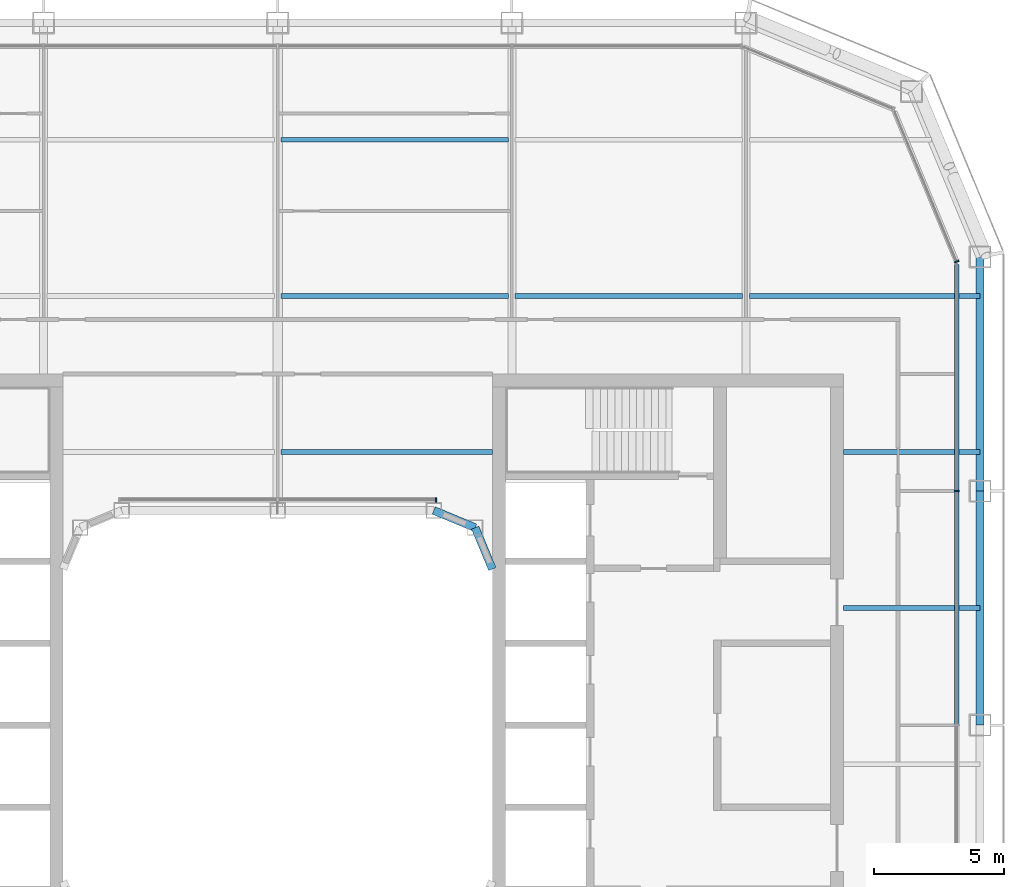
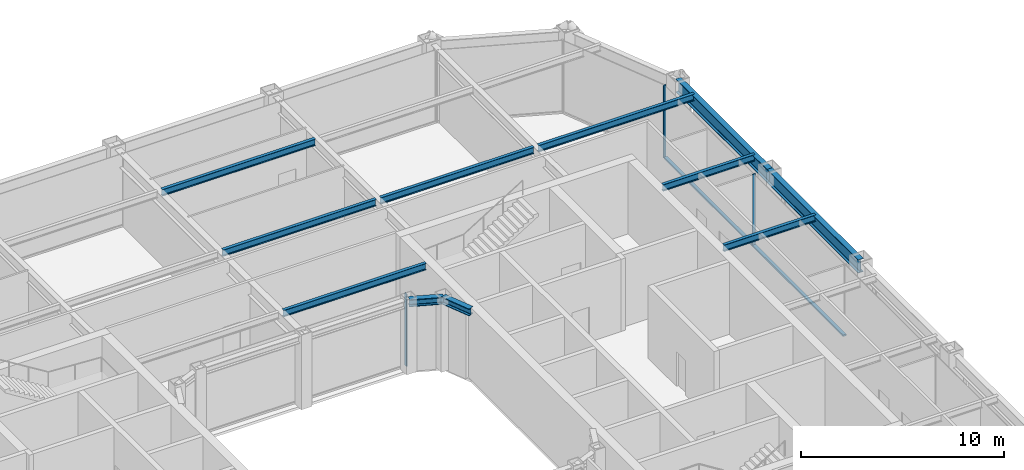
# One storey, part 9 of 23: 11 beams, 5 members, 3 elements without a shape of their own.
"""IFC4 building model written with IfcOpenShell, lengths in metres."""

from ifc_helpers import new_model, si_unit, direction, frame, origin, origin_2d, place, context, subcontext, project, spatial, rectangle, i_section, extrude, material, layer, layer_set, material_profile, profile_set, type_object, element, aggregate, save


model = new_model("IFC4")

# Units and contexts
model_context = context("Model", 3, precision=1e-05, world=origin(), true_north=direction((0.0, 1.0)))
body_context = subcontext(model_context, "Body", "Model", "MODEL_VIEW")
ifc_project = project(units=[si_unit("LENGTHUNIT", "METRE"), si_unit("AREAUNIT", "SQUARE_METRE"), si_unit("VOLUMEUNIT", "CUBIC_METRE"), si_unit("PLANEANGLEUNIT", "RADIAN"), si_unit("MASSUNIT", "GRAM", prefix="KILO")], contexts=[model_context])

# Site, building, storey
site_placement = place(None, origin())
site = spatial("IfcSite", under=ifc_project, at=site_placement, CompositionType="ELEMENT")
building_placement = place(site_placement, origin())
building = spatial("IfcBuilding", under=site, at=building_placement, Name="Siwar Civic Tower", CompositionType="ELEMENT")
storey_placement = place(building_placement, frame((0.0, 0.0, 233.199951171875)))
storey = spatial("IfcBuildingStorey", under=building, at=storey_placement, Name="L50", CompositionType="ELEMENT", Elevation=233.199951171875)

# Curtain wall, member
ifc_material_1 = material(Name="Aluminium and glass", Category="aluminium")
ifc_layer_1 = layer(ifc_material_1, 0.179931640625)
ifc_layer_set_1 = layer_set([ifc_layer_1], Name="Aluminium and glass")
curtain_wall_type_1 = type_object("IfcCurtainWallType", Name="ENV-CW-C", PredefinedType="NOTDEFINED", material=ifc_layer_set_1)
curtain_wall_1_placement = place(storey_placement, origin())
curtain_wall_1 = element("IfcCurtainWall", 1, at=curtain_wall_1_placement, inside=storey, type_object=curtain_wall_type_1, Name="Curtain wall C E", PredefinedType="NOTDEFINED")
ifc_material_2 = material(Name="Aluminium 6063-T6", Category="aluminium")
ifc_material_profile_1 = material_profile(ifc_material_2, rectangle(XDim=0.179931640625, YDim=0.06005859375, at=origin_2d()), Name="AL 180x60")
ifc_profile_set_1 = profile_set([ifc_material_profile_1], Name="Aluminium 6063-T6")
member_type_1 = type_object("IfcMemberType", Name="ENV-MULLION-C", PredefinedType="MULLION", material=ifc_profile_set_1)
member_1_placement = place(storey_placement, frame((26.10009765625, 9.0, 0.0), z_axis=(0.0, 0.0, 1.0), x_axis=(-1.0, 0.0, 0.0)))
member_1 = element("IfcMember", 2, at=member_1_placement, type_object=member_type_1, Name="Mullion C E 4", PredefinedType="MULLION", context=body_context, shape_type="SweptSolid", body=[
    extrude(rectangle(XDim=0.179931640625, YDim=0.06005859375, at=origin_2d()), origin(), (0.0, 0.0, 1.0), 4.35009765625),
])

ifc_material_3 = material(Name="Aluminium clad insulated panel", Category="aluminium")
ifc_layer_2 = layer(ifc_material_3, 0.179931640625)
ifc_layer_set_2 = layer_set([ifc_layer_2], Name="Aluminium clad insulated panel")
curtain_wall_type_2 = type_object("IfcCurtainWallType", Name="ENV-CW-CX", PredefinedType="NOTDEFINED", material=ifc_layer_set_2)
curtain_wall_2_placement = place(storey_placement, origin())
curtain_wall_2 = element("IfcCurtainWall", 3, at=curtain_wall_2_placement, inside=storey, type_object=curtain_wall_type_2, Name="Curtain wall C NE1", PredefinedType="NOTDEFINED")
member_2_placement = place(storey_placement, frame((26.10009765625, 17.821044921875, 0.0), z_axis=(0.0, 0.0, 1.0), x_axis=(-0.923879532511, -0.382683432365, 0.0)))
member_2 = element("IfcMember", 4, at=member_2_placement, type_object=member_type_1, Name="Mullion C NE1 1", PredefinedType="MULLION", context=body_context, shape_type="SweptSolid", body=[
    extrude(rectangle(XDim=0.179931640625, YDim=0.06005859375, at=origin_2d()), origin(), (0.0, 0.0, 1.0), 4.35009765625),
])
aggregate(curtain_wall_2, [member_2])

ifc_material_4 = material(Name="Aluminium and glass", Category="aluminium")
ifc_layer_3 = layer(ifc_material_4, 0.179931640625)
ifc_layer_set_3 = layer_set([ifc_layer_3], Name="Aluminium and glass")
curtain_wall_type_3 = type_object("IfcCurtainWallType", Name="ENV-CW-W", PredefinedType="NOTDEFINED", material=ifc_layer_set_3)
curtain_wall_3_placement = place(storey_placement, origin())
curtain_wall_3 = element("IfcCurtainWall", 5, at=curtain_wall_3_placement, inside=storey, type_object=curtain_wall_type_3, Name="Curtain wall W WN", PredefinedType="NOTDEFINED")
ifc_material_5 = material(Name="Aluminium 6063-T6", Category="aluminium")
ifc_material_profile_2 = material_profile(ifc_material_5, rectangle(XDim=0.179931640625, YDim=0.06005859375, at=origin_2d()), Name="AL 180x60")
ifc_profile_set_2 = profile_set([ifc_material_profile_2], Name="Aluminium 6063-T6")
member_type_2 = type_object("IfcMemberType", Name="ENV-MULLION-W", PredefinedType="MULLION", material=ifc_profile_set_2)
member_3_placement = place(storey_placement, frame((6.08154296875, 8.659912109375, 0.0), z_axis=(0.0, 0.0, 1.0), x_axis=(0.0, -1.0, 0.0)))
member_3 = element("IfcMember", 6, at=member_3_placement, type_object=member_type_2, Name="Mullion W WN 1", PredefinedType="MULLION", context=body_context, shape_type="SweptSolid", body=[
    extrude(rectangle(XDim=0.179931640625, YDim=0.06005859375, at=origin_2d()), origin(), (0.0, 0.0, 1.0), 4.35009765625),
])
aggregate(curtain_wall_3, [member_3])

# Member
ifc_material_6 = material(Name="Aluminium 6063-T6", Category="aluminium")
ifc_material_profile_3 = material_profile(ifc_material_6, rectangle(XDim=0.179931640625, YDim=0.10009765625, at=origin_2d()), Name="AL 180x100")
ifc_profile_set_3 = profile_set([ifc_material_profile_3], Name="Aluminium 6063-T6")
member_type_3 = type_object("IfcMemberType", Name="ENV-TRANSOM-C", PredefinedType="USERDEFINED", material=ifc_profile_set_3)
member_4_placement = place(storey_placement, frame((26.10009765625, 0.030029296875, 0.050048828125), z_axis=(0.0, 1.0, 0.0), x_axis=(-1.0, 0.0, 0.0)))
member_4 = element("IfcMember", 7, at=member_4_placement, type_object=member_type_3, Name="Transom C E 3", ObjectType="TRANSOM", PredefinedType="USERDEFINED", context=body_context, shape_type="SweptSolid", body=[
    extrude(rectangle(XDim=0.179931640625, YDim=0.10009765625, at=origin_2d()), origin(), (0.0, 0.0, 1.0), 8.93994140625),
])

member_5_placement = place(storey_placement, frame((26.10009765625, 9.030029296875, 0.050048828125), z_axis=(0.0, 1.0, 0.0), x_axis=(-1.0, 0.0, 0.0)))
member_5 = element("IfcMember", 8, at=member_5_placement, type_object=member_type_3, Name="Transom C E 4", ObjectType="TRANSOM", PredefinedType="USERDEFINED", context=body_context, shape_type="SweptSolid", body=[
    extrude(rectangle(XDim=0.179931640625, YDim=0.10009765625, at=origin_2d()), origin(), (0.0, 0.0, 1.0), 8.68603515625),
])

aggregate(curtain_wall_1, [member_1, member_4, member_5])

# Beams
ifc_material_7 = material(Name="Steel S355", Category="steel")
ifc_material_profile_4 = material_profile(ifc_material_7, i_section(OverallWidth=0.179931640625, OverallDepth=0.39990234375, WebThickness=0.008544921875, FlangeThickness=0.013427734375, FilletRadius=0.02099609375, at=origin_2d()), Name="IPE400")
ifc_profile_set_4 = profile_set([ifc_material_profile_4], Name="Steel S355")
beam_type_1 = type_object("IfcBeamType", Name="STR-FB-IPE400", PredefinedType="JOIST", material=ifc_profile_set_4)
beam_1_placement = place(storey_placement, frame((21.75, 4.5, 4.150146484375), z_axis=(1.0, 0.0, 0.0), x_axis=(0.0, 1.0, 0.0)))
element("IfcBeam", 9, at=beam_1_placement, inside=storey, type_object=beam_type_1, Name="L50/bm/F026", PredefinedType="JOIST", context=body_context, shape_type="SweptSolid", body=[
    extrude(i_section(OverallWidth=0.179931640625, OverallDepth=0.39990234375, WebThickness=0.008544921875, FlangeThickness=0.013427734375, FilletRadius=0.02099609375, at=origin_2d()), origin(), (0.0, 0.0, 1.0), 5.25),
])
beam_2_placement = place(storey_placement, frame((0.1298828125, 10.5, 4.150146484375), z_axis=(1.0, 0.0, 0.0), x_axis=(0.0, 1.0, 0.0)))
element("IfcBeam", 10, at=beam_2_placement, inside=storey, type_object=beam_type_1, Name="L50/bm/F029", PredefinedType="JOIST", context=body_context, shape_type="SweptSolid", body=[
    extrude(i_section(OverallWidth=0.179931640625, OverallDepth=0.39990234375, WebThickness=0.008544921875, FlangeThickness=0.013427734375, FilletRadius=0.02099609375, at=origin_2d()), origin(), (0.0, 0.0, 1.0), 8.1201171875),
])
beam_3_placement = place(storey_placement, frame((21.75, 10.5, 4.150146484375), z_axis=(1.0, 0.0, 0.0), x_axis=(0.0, 1.0, 0.0)))
element("IfcBeam", 11, at=beam_3_placement, inside=storey, type_object=beam_type_1, Name="L50/bm/F030", PredefinedType="JOIST", context=body_context, shape_type="SweptSolid", body=[
    extrude(i_section(OverallWidth=0.179931640625, OverallDepth=0.39990234375, WebThickness=0.008544921875, FlangeThickness=0.013427734375, FilletRadius=0.02099609375, at=origin_2d()), origin(), (0.0, 0.0, 1.0), 5.25),
])
for number, where, z_axis, x_axis, name in (
    (12, (0.1298828125, 16.5, 4.150146484375), (1.0, 0.0, 0.0), (0.0, 1.0, 0.0), "L50/bm/F034"),
    (13, (9.1298828125, 16.5, 4.150146484375), (1.0, 0.0, 0.0), (0.0, 1.0, 0.0), "L50/bm/F035"),
):
    element("IfcBeam", number, at=place(storey_placement, frame(where, z_axis=z_axis, x_axis=x_axis)), inside=storey, type_object=beam_type_1, Name=name, PredefinedType="JOIST", context=body_context, shape_type="SweptSolid", body=[
        extrude(i_section(OverallWidth=0.179931640625, OverallDepth=0.39990234375, WebThickness=0.008544921875, FlangeThickness=0.013427734375, FilletRadius=0.02099609375, at=origin_2d()), origin(), (0.0, 0.0, 1.0), 8.740234375),
    ])
beam_4_placement = place(storey_placement, frame((18.1298828125, 16.5, 4.150146484375), z_axis=(1.0, 0.0, 0.0), x_axis=(0.0, 1.0, 0.0)))
element("IfcBeam", 14, at=beam_4_placement, inside=storey, type_object=beam_type_1, Name="L50/bm/F036", PredefinedType="JOIST", context=body_context, shape_type="SweptSolid", body=[
    extrude(i_section(OverallWidth=0.179931640625, OverallDepth=0.39990234375, WebThickness=0.008544921875, FlangeThickness=0.013427734375, FilletRadius=0.02099609375, at=origin_2d()), origin(), (0.0, 0.0, 1.0), 8.8701171875),
])
beam_5_placement = place(storey_placement, frame((0.1298828125, 22.5, 4.150146484375), z_axis=(1.0, 0.0, 0.0), x_axis=(0.0, 1.0, 0.0)))
element("IfcBeam", 15, at=beam_5_placement, inside=storey, type_object=beam_type_1, Name="L50/bm/F040", PredefinedType="JOIST", context=body_context, shape_type="SweptSolid", body=[
    extrude(i_section(OverallWidth=0.179931640625, OverallDepth=0.39990234375, WebThickness=0.008544921875, FlangeThickness=0.013427734375, FilletRadius=0.02099609375, at=origin_2d()), origin(), (0.0, 0.0, 1.0), 8.740234375),
])
ifc_material_8 = material(Name="Steel S355", Category="steel")
ifc_material_profile_5 = material_profile(ifc_material_8, i_section(OverallWidth=0.306884765625, OverallDepth=0.431884765625, WebThickness=0.02099609375, FlangeThickness=0.0400390625, FilletRadius=0.027099609375, at=origin_2d()), Name="HEM400")
ifc_profile_set_5 = profile_set([ifc_material_profile_5], Name="Steel S355")
beam_type_2 = type_object("IfcBeamType", Name="STR-RB-HEM400", PredefinedType="BEAM", material=ifc_profile_set_5)
for number, where, z_axis, x_axis, name in (
    (16, (6.0, 8.25, 4.134033203125), (0.923901072997, -0.382631424892, 0.0), (0.382631424892, 0.923901072997, 0.0), "L50/bm/RN3"),
    (17, (7.591064453125, 7.591064453125, 4.134033203125), (0.382631424892, -0.923901072997, 0.0), (0.923901072997, 0.382631424892, 0.0), "L50/bm/RNEE"),
):
    element("IfcBeam", number, at=place(storey_placement, frame(where, z_axis=z_axis, x_axis=x_axis)), inside=storey, type_object=beam_type_2, Name=name, PredefinedType="BEAM", context=body_context, shape_type="SweptSolid", body=[
        extrude(i_section(OverallWidth=0.306884765625, OverallDepth=0.431884765625, WebThickness=0.02099609375, FlangeThickness=0.0400390625, FilletRadius=0.027099609375, at=origin_2d()), origin(), (0.0, 0.0, 1.0), 1.72216796875),
    ])
ifc_material_9 = material(Name="Steel S355", Category="steel")
ifc_material_profile_6 = material_profile(ifc_material_9, i_section(OverallWidth=0.300048828125, OverallDepth=0.800048828125, WebThickness=0.017578125, FlangeThickness=0.032958984375, FilletRadius=0.030029296875, at=origin_2d()), Name="HEB800")
ifc_profile_set_6 = profile_set([ifc_material_profile_6], Name="Steel S355")
beam_type_3 = type_object("IfcBeamType", Name="STR-SB-HEB800", PredefinedType="BEAM", material=ifc_profile_set_6)
for number, where, z_axis, x_axis, name in (
    (18, (27.0, 0.0, 3.949951171875), (0.0, 1.0, 0.0), (-1.0, 0.0, 0.0), "L50/bm/SE-2"),
    (19, (27.0, 9.0, 3.949951171875), (0.0, 1.0, 0.0), (-1.0, 0.0, 0.0), "L50/bm/SE-3"),
):
    element("IfcBeam", number, at=place(storey_placement, frame(where, z_axis=z_axis, x_axis=x_axis)), inside=storey, type_object=beam_type_3, Name=name, PredefinedType="BEAM", context=body_context, shape_type="SweptSolid", body=[
        extrude(i_section(OverallWidth=0.300048828125, OverallDepth=0.800048828125, WebThickness=0.017578125, FlangeThickness=0.032958984375, FilletRadius=0.030029296875, at=origin_2d()), origin(), (0.0, 0.0, 1.0), 9.0),
    ])

save(model, "model.ifc")
